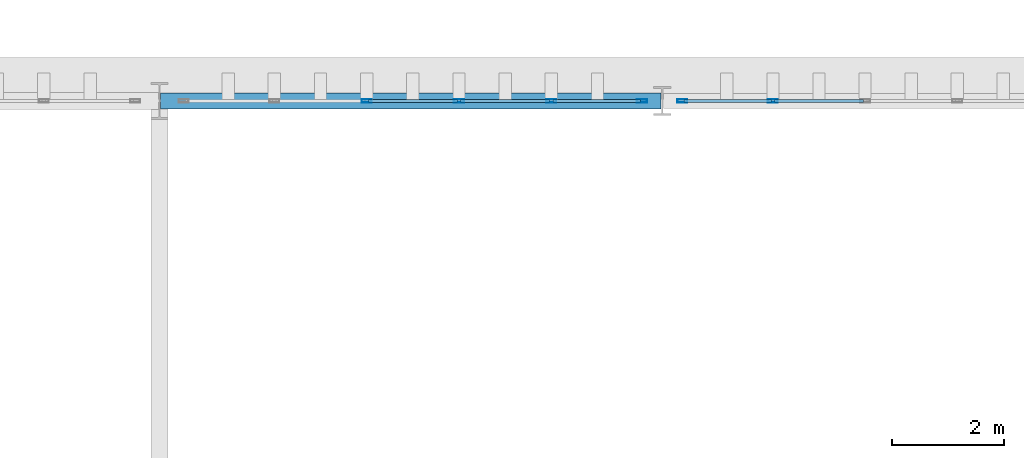
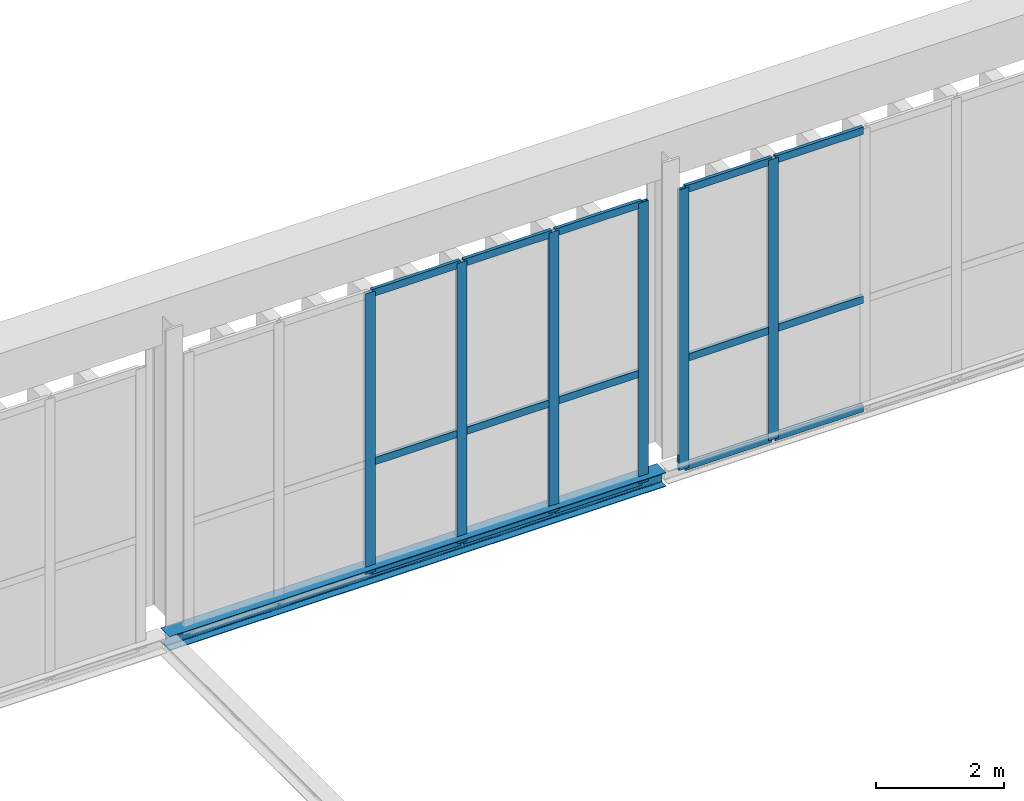
# One storey, part 173 of 237: 21 members, 1 beam, 2 elements without a shape of their own.
"""IFC4 building model written with IfcOpenShell, lengths in metres."""

from ifc_helpers import new_model, si_unit, direction, frame, origin, origin_2d, place, context, subcontext, project, spatial, hollow_rectangle, i_section, extrude, material, layer, layer_set, material_profile, profile_set, type_object, element, aggregate, save


model = new_model("IFC4")

# Units and contexts
model_context = context("Model", 3, precision=1e-05, world=origin(), true_north=direction((0.0, 1.0)))
body_context = subcontext(model_context, "Body", "Model", "MODEL_VIEW")
ifc_project = project(units=[si_unit("LENGTHUNIT", "METRE"), si_unit("AREAUNIT", "SQUARE_METRE"), si_unit("VOLUMEUNIT", "CUBIC_METRE"), si_unit("PLANEANGLEUNIT", "RADIAN"), si_unit("MASSUNIT", "GRAM", prefix="KILO")], contexts=[model_context])

# Site, building, storey
site_placement = place(None, origin())
site = spatial("IfcSite", under=ifc_project, at=site_placement, CompositionType="ELEMENT")
building_placement = place(site_placement, origin())
building = spatial("IfcBuilding", under=site, at=building_placement, Name="Barlavento Convention Centre", CompositionType="ELEMENT")
storey_placement = place(building_placement, frame((0.0, 0.0, 12.0)))
storey = spatial("IfcBuildingStorey", under=building, at=storey_placement, Name="L02", CompositionType="ELEMENT", Elevation=12.0)

# Curtain wall, members
ifc_material_1 = material(Name="Powder-coated aluminium and Low-E glass", Category="aluminium")
ifc_layer = layer(ifc_material_1, 0.18505859375)
ifc_layer_set = layer_set([ifc_layer], Name="ARC-CW-EXH-L02")
curtain_wall_type = type_object("IfcCurtainWallType", Name="ARC-CW-EXH-L02", PredefinedType="NOTDEFINED", material=ifc_layer_set)
curtain_wall_1_placement = place(storey_placement, origin())
curtain_wall_1 = element("IfcCurtainWall", 1, at=curtain_wall_1_placement, inside=storey, type_object=curtain_wall_type, Name="L02 unitised curtain wall CW05", PredefinedType="NOTDEFINED")
ifc_material_2 = material(Name="Powder-coated aluminium", Category="aluminium")
ifc_material_profile_1 = material_profile(ifc_material_2, hollow_rectangle(XDim=0.06005859375, YDim=0.179931640625, WallThickness=0.0048828125, at=origin_2d()), Name="AL-MULL 60x180x5")
ifc_profile_set_1 = profile_set([ifc_material_profile_1], Name="Powder-coated aluminium")
member_type_1 = type_object("IfcMemberType", Name="ARC-CWM-60X180", PredefinedType="MULLION", material=ifc_profile_set_1)
member_1_placement = place(storey_placement, frame((66.709716796875, 135.0, -0.5), z_axis=(0.0, 0.0, 1.0), x_axis=(0.0, 1.0, 0.0)))
member_1 = element("IfcMember", 2, at=member_1_placement, type_object=member_type_1, Name="CW05 mullion 3", PredefinedType="MULLION", context=body_context, shape_type="SweptSolid", body=[
    extrude(hollow_rectangle(XDim=0.06005859375, YDim=0.179931640625, WallThickness=0.0048828125, at=origin_2d()), origin(), (0.0, 0.0, 1.0), 5.35009765625),
])
member_2_placement = place(storey_placement, frame((68.3623046875, 135.0, -0.5), z_axis=(0.0, 0.0, 1.0), x_axis=(0.0, 1.0, 0.0)))
member_2 = element("IfcMember", 3, at=member_2_placement, type_object=member_type_1, Name="CW05 mullion 4", PredefinedType="MULLION", context=body_context, shape_type="SweptSolid", body=[
    extrude(hollow_rectangle(XDim=0.06005859375, YDim=0.179931640625, WallThickness=0.0048828125, at=origin_2d()), origin(), (0.0, 0.0, 1.0), 5.35009765625),
])
member_3_placement = place(storey_placement, frame((70.01513671875, 135.0, -0.5), z_axis=(0.0, 0.0, 1.0), x_axis=(0.0, 1.0, 0.0)))
member_3 = element("IfcMember", 4, at=member_3_placement, type_object=member_type_1, Name="CW05 mullion 5", PredefinedType="MULLION", context=body_context, shape_type="SweptSolid", body=[
    extrude(hollow_rectangle(XDim=0.06005859375, YDim=0.179931640625, WallThickness=0.0048828125, at=origin_2d()), origin(), (0.0, 0.0, 1.0), 5.35009765625),
])
member_4_placement = place(storey_placement, frame((71.637939453125, 135.0, -0.5), z_axis=(0.0, 0.0, 1.0), x_axis=(0.0, 1.0, 0.0)))
member_4 = element("IfcMember", 5, at=member_4_placement, type_object=member_type_1, Name="CW05 mullion 6", PredefinedType="MULLION", context=body_context, shape_type="SweptSolid", body=[
    extrude(hollow_rectangle(XDim=0.06005859375, YDim=0.179931640625, WallThickness=0.0048828125, at=origin_2d()), origin(), (0.0, 0.0, 1.0), 5.35009765625),
])

curtain_wall_2_placement = place(storey_placement, origin())
curtain_wall_2 = element("IfcCurtainWall", 6, at=curtain_wall_2_placement, inside=storey, type_object=curtain_wall_type, Name="L02 unitised curtain wall CW05", PredefinedType="NOTDEFINED")
member_5_placement = place(storey_placement, frame((72.362060546875, 135.0, -0.5), z_axis=(0.0, 0.0, 1.0), x_axis=(0.0, 1.0, 0.0)))
member_5 = element("IfcMember", 7, at=member_5_placement, type_object=member_type_1, Name="CW05 mullion 1", PredefinedType="MULLION", context=body_context, shape_type="SweptSolid", body=[
    extrude(hollow_rectangle(XDim=0.06005859375, YDim=0.179931640625, WallThickness=0.0048828125, at=origin_2d()), origin(), (0.0, 0.0, 1.0), 5.35009765625),
])
member_6_placement = place(storey_placement, frame((73.981689453125, 135.0, -0.5), z_axis=(0.0, 0.0, 1.0), x_axis=(0.0, 1.0, 0.0)))
member_6 = element("IfcMember", 8, at=member_6_placement, type_object=member_type_1, Name="CW05 mullion 2", PredefinedType="MULLION", context=body_context, shape_type="SweptSolid", body=[
    extrude(hollow_rectangle(XDim=0.06005859375, YDim=0.179931640625, WallThickness=0.0048828125, at=origin_2d()), origin(), (0.0, 0.0, 1.0), 5.35009765625),
])

# Member
ifc_material_profile_2 = material_profile(ifc_material_2, hollow_rectangle(XDim=0.06005859375, YDim=0.139892578125, WallThickness=0.00390625, at=origin_2d()), Name="AL-TRAN 60x140x4")
ifc_profile_set_2 = profile_set([ifc_material_profile_2], Name="Powder-coated aluminium")
member_type_2 = type_object("IfcMemberType", Name="ARC-CWT-60X140", PredefinedType="USERDEFINED", material=ifc_profile_set_2)
member_7_placement = place(storey_placement, frame((66.739501953125, 135.0, -0.469970703125), z_axis=(1.0, 0.0, 0.0), x_axis=(0.0, 1.0, 0.0)))
member_7 = element("IfcMember", 9, at=member_7_placement, type_object=member_type_2, Name="CW05 transom 3.1", ObjectType="TRANSOM", PredefinedType="USERDEFINED", context=body_context, shape_type="SweptSolid", body=[
    extrude(hollow_rectangle(XDim=0.06005859375, YDim=0.139892578125, WallThickness=0.00390625, at=origin_2d()), origin(), (0.0, 0.0, 1.0), 1.593017578125),
])

member_8_placement = place(storey_placement, frame((66.739501953125, 135.0, 1.60009765625), z_axis=(1.0, 0.0, 0.0), x_axis=(0.0, 1.0, 0.0)))
member_8 = element("IfcMember", 10, at=member_8_placement, type_object=member_type_2, Name="CW05 transom 3.2", ObjectType="TRANSOM", PredefinedType="USERDEFINED", context=body_context, shape_type="SweptSolid", body=[
    extrude(hollow_rectangle(XDim=0.06005859375, YDim=0.139892578125, WallThickness=0.00390625, at=origin_2d()), origin(), (0.0, 0.0, 1.0), 1.593017578125),
])

member_9_placement = place(storey_placement, frame((66.739501953125, 135.0, 4.820068359375), z_axis=(1.0, 0.0, 0.0), x_axis=(0.0, 1.0, 0.0)))
member_9 = element("IfcMember", 11, at=member_9_placement, type_object=member_type_2, Name="CW05 transom 3.3", ObjectType="TRANSOM", PredefinedType="USERDEFINED", context=body_context, shape_type="SweptSolid", body=[
    extrude(hollow_rectangle(XDim=0.06005859375, YDim=0.139892578125, WallThickness=0.00390625, at=origin_2d()), origin(), (0.0, 0.0, 1.0), 1.593017578125),
])

member_10_placement = place(storey_placement, frame((68.392333984375, 135.0, -0.469970703125), z_axis=(1.0, 0.0, 0.0), x_axis=(0.0, 1.0, 0.0)))
member_10 = element("IfcMember", 12, at=member_10_placement, type_object=member_type_2, Name="CW05 transom 4.1", ObjectType="TRANSOM", PredefinedType="USERDEFINED", context=body_context, shape_type="SweptSolid", body=[
    extrude(hollow_rectangle(XDim=0.06005859375, YDim=0.139892578125, WallThickness=0.00390625, at=origin_2d()), origin(), (0.0, 0.0, 1.0), 1.5927734375),
])

member_11_placement = place(storey_placement, frame((68.392333984375, 135.0, 1.60009765625), z_axis=(1.0, 0.0, 0.0), x_axis=(0.0, 1.0, 0.0)))
member_11 = element("IfcMember", 13, at=member_11_placement, type_object=member_type_2, Name="CW05 transom 4.2", ObjectType="TRANSOM", PredefinedType="USERDEFINED", context=body_context, shape_type="SweptSolid", body=[
    extrude(hollow_rectangle(XDim=0.06005859375, YDim=0.139892578125, WallThickness=0.00390625, at=origin_2d()), origin(), (0.0, 0.0, 1.0), 1.5927734375),
])

member_12_placement = place(storey_placement, frame((68.392333984375, 135.0, 4.820068359375), z_axis=(1.0, 0.0, 0.0), x_axis=(0.0, 1.0, 0.0)))
member_12 = element("IfcMember", 14, at=member_12_placement, type_object=member_type_2, Name="CW05 transom 4.3", ObjectType="TRANSOM", PredefinedType="USERDEFINED", context=body_context, shape_type="SweptSolid", body=[
    extrude(hollow_rectangle(XDim=0.06005859375, YDim=0.139892578125, WallThickness=0.00390625, at=origin_2d()), origin(), (0.0, 0.0, 1.0), 1.5927734375),
])

member_13_placement = place(storey_placement, frame((70.045166015625, 135.0, -0.469970703125), z_axis=(1.0, 0.0, 0.0), x_axis=(0.0, 1.0, 0.0)))
member_13 = element("IfcMember", 15, at=member_13_placement, type_object=member_type_2, Name="CW05 transom 5.1", ObjectType="TRANSOM", PredefinedType="USERDEFINED", context=body_context, shape_type="SweptSolid", body=[
    extrude(hollow_rectangle(XDim=0.06005859375, YDim=0.139892578125, WallThickness=0.00390625, at=origin_2d()), origin(), (0.0, 0.0, 1.0), 1.562744140625),
])

member_14_placement = place(storey_placement, frame((70.045166015625, 135.0, 1.60009765625), z_axis=(1.0, 0.0, 0.0), x_axis=(0.0, 1.0, 0.0)))
member_14 = element("IfcMember", 16, at=member_14_placement, type_object=member_type_2, Name="CW05 transom 5.2", ObjectType="TRANSOM", PredefinedType="USERDEFINED", context=body_context, shape_type="SweptSolid", body=[
    extrude(hollow_rectangle(XDim=0.06005859375, YDim=0.139892578125, WallThickness=0.00390625, at=origin_2d()), origin(), (0.0, 0.0, 1.0), 1.562744140625),
])

member_15_placement = place(storey_placement, frame((70.045166015625, 135.0, 4.820068359375), z_axis=(1.0, 0.0, 0.0), x_axis=(0.0, 1.0, 0.0)))
member_15 = element("IfcMember", 17, at=member_15_placement, type_object=member_type_2, Name="CW05 transom 5.3", ObjectType="TRANSOM", PredefinedType="USERDEFINED", context=body_context, shape_type="SweptSolid", body=[
    extrude(hollow_rectangle(XDim=0.06005859375, YDim=0.139892578125, WallThickness=0.00390625, at=origin_2d()), origin(), (0.0, 0.0, 1.0), 1.562744140625),
])

aggregate(curtain_wall_1, [member_1, member_2, member_3, member_4, member_7, member_8, member_9, member_10, member_11, member_12, member_13, member_14, member_15])

member_16_placement = place(storey_placement, frame((72.39208984375, 135.0, -0.469970703125), z_axis=(1.0, 0.0, 0.0), x_axis=(0.0, 1.0, 0.0)))
member_16 = element("IfcMember", 18, at=member_16_placement, type_object=member_type_2, Name="CW05 transom 1.1", ObjectType="TRANSOM", PredefinedType="USERDEFINED", context=body_context, shape_type="SweptSolid", body=[
    extrude(hollow_rectangle(XDim=0.06005859375, YDim=0.139892578125, WallThickness=0.00390625, at=origin_2d()), origin(), (0.0, 0.0, 1.0), 1.5595703125),
])

member_17_placement = place(storey_placement, frame((72.39208984375, 135.0, 1.60009765625), z_axis=(1.0, 0.0, 0.0), x_axis=(0.0, 1.0, 0.0)))
member_17 = element("IfcMember", 19, at=member_17_placement, type_object=member_type_2, Name="CW05 transom 1.2", ObjectType="TRANSOM", PredefinedType="USERDEFINED", context=body_context, shape_type="SweptSolid", body=[
    extrude(hollow_rectangle(XDim=0.06005859375, YDim=0.139892578125, WallThickness=0.00390625, at=origin_2d()), origin(), (0.0, 0.0, 1.0), 1.5595703125),
])

member_18_placement = place(storey_placement, frame((72.39208984375, 135.0, 4.820068359375), z_axis=(1.0, 0.0, 0.0), x_axis=(0.0, 1.0, 0.0)))
member_18 = element("IfcMember", 20, at=member_18_placement, type_object=member_type_2, Name="CW05 transom 1.3", ObjectType="TRANSOM", PredefinedType="USERDEFINED", context=body_context, shape_type="SweptSolid", body=[
    extrude(hollow_rectangle(XDim=0.06005859375, YDim=0.139892578125, WallThickness=0.00390625, at=origin_2d()), origin(), (0.0, 0.0, 1.0), 1.5595703125),
])

member_19_placement = place(storey_placement, frame((74.01171875, 135.0, -0.469970703125), z_axis=(1.0, 0.0, 0.0), x_axis=(0.0, 1.0, 0.0)))
member_19 = element("IfcMember", 21, at=member_19_placement, type_object=member_type_2, Name="CW05 transom 2.1", ObjectType="TRANSOM", PredefinedType="USERDEFINED", context=body_context, shape_type="SweptSolid", body=[
    extrude(hollow_rectangle(XDim=0.06005859375, YDim=0.139892578125, WallThickness=0.00390625, at=origin_2d()), origin(), (0.0, 0.0, 1.0), 1.589599609375),
])

member_20_placement = place(storey_placement, frame((74.01171875, 135.0, 1.60009765625), z_axis=(1.0, 0.0, 0.0), x_axis=(0.0, 1.0, 0.0)))
member_20 = element("IfcMember", 22, at=member_20_placement, type_object=member_type_2, Name="CW05 transom 2.2", ObjectType="TRANSOM", PredefinedType="USERDEFINED", context=body_context, shape_type="SweptSolid", body=[
    extrude(hollow_rectangle(XDim=0.06005859375, YDim=0.139892578125, WallThickness=0.00390625, at=origin_2d()), origin(), (0.0, 0.0, 1.0), 1.589599609375),
])

member_21_placement = place(storey_placement, frame((74.01171875, 135.0, 4.820068359375), z_axis=(1.0, 0.0, 0.0), x_axis=(0.0, 1.0, 0.0)))
member_21 = element("IfcMember", 23, at=member_21_placement, type_object=member_type_2, Name="CW05 transom 2.3", ObjectType="TRANSOM", PredefinedType="USERDEFINED", context=body_context, shape_type="SweptSolid", body=[
    extrude(hollow_rectangle(XDim=0.06005859375, YDim=0.139892578125, WallThickness=0.00390625, at=origin_2d()), origin(), (0.0, 0.0, 1.0), 1.589599609375),
])

aggregate(curtain_wall_2, [member_5, member_6, member_16, member_17, member_18, member_19, member_20, member_21])

# Beam
ifc_material_3 = material(Name="Steel S355", Category="steel")
ifc_material_profile_3 = material_profile(ifc_material_3, i_section(OverallWidth=0.280029296875, OverallDepth=0.27001953125, WebThickness=0.008056640625, FlangeThickness=0.012939453125, FilletRadius=0.02392578125, at=origin_2d()), Name="HEA 280")
ifc_profile_set_3 = profile_set([ifc_material_profile_3], Name="Steel S355")
beam_type = type_object("IfcBeamType", Name="STR-BM-SPN-HEA280", PredefinedType="SPANDREL", material=ifc_profile_set_3)
beam_placement = place(storey_placement, frame((63.02001953125, 135.0, -0.4951171875), z_axis=(1.0, 0.0, 0.0), x_axis=(0.0, 1.0, 0.0)))
element("IfcBeam", 24, at=beam_placement, inside=storey, type_object=beam_type, Name="L02 primary girder SP03", PredefinedType="SPANDREL", context=body_context, shape_type="SweptSolid", body=[
    extrude(i_section(OverallWidth=0.280029296875, OverallDepth=0.27001953125, WebThickness=0.008056640625, FlangeThickness=0.012939453125, FilletRadius=0.02392578125, at=origin_2d()), origin(), (0.0, 0.0, 1.0), 8.9599609375),
])

save(model, "model.ifc")
